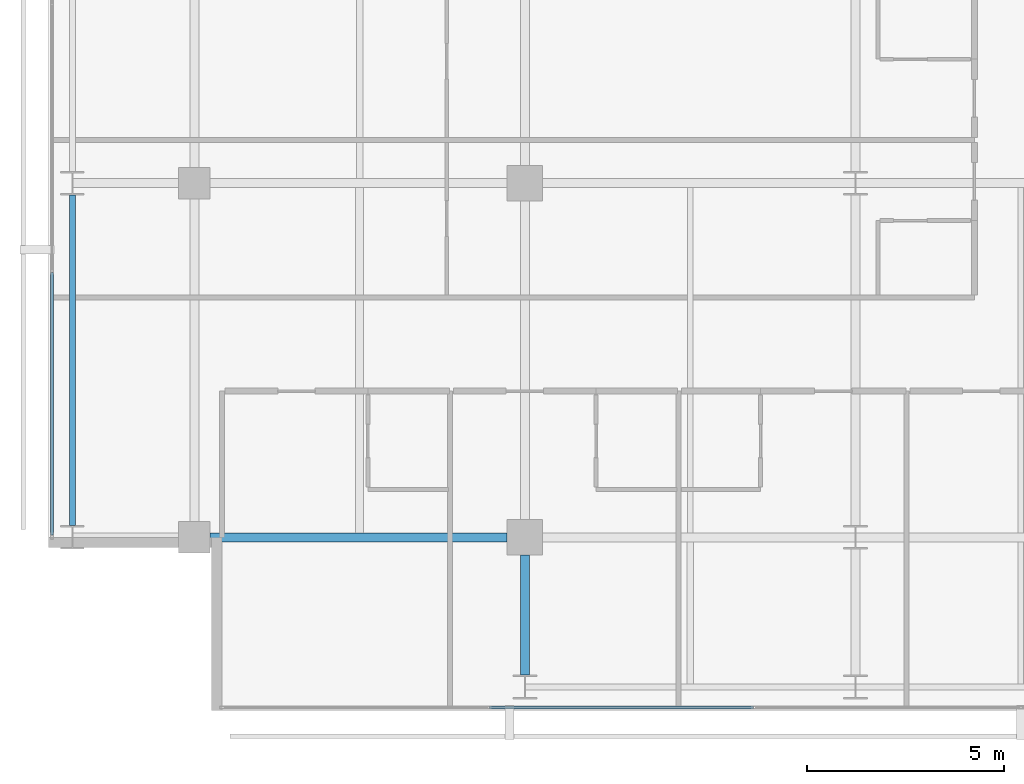
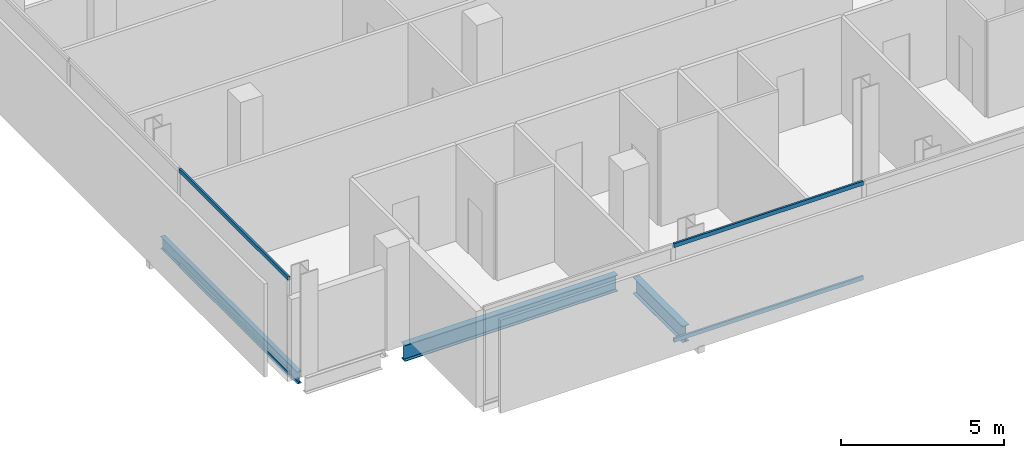
# One storey, part 3 of 34: 4 members, 3 beams, 2 elements without a shape of their own.
"""IFC4 building model written with IfcOpenShell, lengths in metres."""

from ifc_helpers import new_model, si_unit, direction, frame, origin, origin_2d, place, context, subcontext, project, spatial, hollow_rectangle, i_section, extrude, material, layer, layer_set, material_profile, profile_set, type_object, element, aggregate, save


model = new_model("IFC4")

# Units and contexts
model_context = context("Model", 3, precision=1e-05, world=origin(), true_north=direction((0.0, 1.0)))
body_context = subcontext(model_context, "Body", "Model", "MODEL_VIEW")
ifc_project = project(units=[si_unit("LENGTHUNIT", "METRE"), si_unit("AREAUNIT", "SQUARE_METRE"), si_unit("VOLUMEUNIT", "CUBIC_METRE"), si_unit("PLANEANGLEUNIT", "RADIAN"), si_unit("MASSUNIT", "GRAM", prefix="KILO")], contexts=[model_context])

# Site, building, storey
site_placement = place(None, origin())
site = spatial("IfcSite", under=ifc_project, at=site_placement, CompositionType="ELEMENT")
building_placement = place(site_placement, origin())
building = spatial("IfcBuilding", under=site, at=building_placement, Name="Maruvema Waterfront Hotel and Observation Tower", CompositionType="ELEMENT")
storey_placement = place(building_placement, frame((0.0, 0.0, 127.39990234375)))
storey = spatial("IfcBuildingStorey", under=building, at=storey_placement, Name="L30", CompositionType="ELEMENT", Elevation=127.39990234375)

# Curtain wall, members
ifc_material_1 = material(Name="Anodised bronze aluminium and solar-control low-E IGU", Category="aluminium")
ifc_layer = layer(ifc_material_1, 0.159912109375, Name="Zone 2 Amber Inner Thermal Curtain Wall System CW-03")
ifc_layer_set = layer_set([ifc_layer], Name="Anodised bronze aluminium and solar-control low-E IGU")
curtain_wall_type = type_object("IfcCurtainWallType", Name="Zone 2 Amber Inner Thermal Curtain Wall System CW-03", PredefinedType="USERDEFINED", material=ifc_layer_set)
curtain_wall_1_placement = place(storey_placement, origin())
curtain_wall_1 = element("IfcCurtainWall", 1, at=curtain_wall_1_placement, inside=storey, type_object=curtain_wall_type, Name="L30 Curtain Wall CW-L30-S", ObjectType="UNITISED CURTAIN WALL", PredefinedType="USERDEFINED")
ifc_material_2 = material(Name="Anodised architectural bronze aluminium", Category="aluminium")
ifc_material_profile_1 = material_profile(ifc_material_2, hollow_rectangle(XDim=0.070068359375, YDim=0.14990234375, WallThickness=0.00390625, at=origin_2d()), Name="ALU-T70x150")
ifc_profile_set_1 = profile_set([ifc_material_profile_1], Name="Anodised architectural bronze aluminium")
member_type = type_object("IfcMemberType", Name="Curtain Wall Horizontal Transom ALU-T70x150", PredefinedType="USERDEFINED", material=ifc_profile_set_1)
member_1_placement = place(storey_placement, frame((24.296630859375, 4.679931640625, 0.030029296875), z_axis=(1.0, 0.0, 0.0), x_axis=(0.0, 1.0, 0.0)))
member_1 = element("IfcMember", 2, at=member_1_placement, type_object=member_type, Name="CW-03 transom 2.1", ObjectType="TRANSOM", PredefinedType="USERDEFINED", context=body_context, shape_type="SweptSolid", body=[
    extrude(hollow_rectangle(XDim=0.070068359375, YDim=0.14990234375, WallThickness=0.00390625, at=origin_2d()), origin(), (0.0, 0.0, 1.0), 6.706787109375),
])
member_2_placement = place(storey_placement, frame((24.296630859375, 4.679931640625, 3.580078125), z_axis=(1.0, 0.0, 0.0), x_axis=(0.0, 1.0, 0.0)))
member_2 = element("IfcMember", 3, at=member_2_placement, type_object=member_type, Name="CW-03 transom 2.2", ObjectType="TRANSOM", PredefinedType="USERDEFINED", context=body_context, shape_type="SweptSolid", body=[
    extrude(hollow_rectangle(XDim=0.070068359375, YDim=0.14990234375, WallThickness=0.00390625, at=origin_2d()), origin(), (0.0, 0.0, 1.0), 6.706787109375),
])
aggregate(curtain_wall_1, [member_1, member_2])

curtain_wall_2_placement = place(storey_placement, origin())
curtain_wall_2 = element("IfcCurtainWall", 4, at=curtain_wall_2_placement, inside=storey, type_object=curtain_wall_type, Name="L30 Curtain Wall CW-L30-W", ObjectType="UNITISED CURTAIN WALL", PredefinedType="USERDEFINED")
member_3_placement = place(storey_placement, frame((13.179931640625, 15.736572265625, 0.030029296875), z_axis=(0.0, -1.0, 0.0), x_axis=(1.0, 0.0, 0.0)))
member_3 = element("IfcMember", 5, at=member_3_placement, type_object=member_type, Name="CW-03 transom 6.1", ObjectType="TRANSOM", PredefinedType="USERDEFINED", context=body_context, shape_type="SweptSolid", body=[
    extrude(hollow_rectangle(XDim=0.070068359375, YDim=0.14990234375, WallThickness=0.00390625, at=origin_2d()), origin(), (0.0, 0.0, 1.0), 6.676513671875),
])
member_4_placement = place(storey_placement, frame((13.179931640625, 15.736572265625, 3.580078125), z_axis=(0.0, -1.0, 0.0), x_axis=(1.0, 0.0, 0.0)))
member_4 = element("IfcMember", 6, at=member_4_placement, type_object=member_type, Name="CW-03 transom 6.2", ObjectType="TRANSOM", PredefinedType="USERDEFINED", context=body_context, shape_type="SweptSolid", body=[
    extrude(hollow_rectangle(XDim=0.070068359375, YDim=0.14990234375, WallThickness=0.00390625, at=origin_2d()), origin(), (0.0, 0.0, 1.0), 6.676513671875),
])
aggregate(curtain_wall_2, [member_3, member_4])

# Beams
ifc_material_3 = material(Name="Steel ASTM A572 Grade 50", Category="steel")
ifc_material_profile_2 = material_profile(ifc_material_3, i_section(OverallWidth=0.153076171875, OverallDepth=0.455078125, WebThickness=0.008056640625, FlangeThickness=0.01318359375, FilletRadius=0.014892578125, at=origin_2d()), Name="W460x60.0")
ifc_profile_set_2 = profile_set([ifc_material_profile_2], Name="Steel ASTM A572 Grade 50")
beam_type_1 = type_object("IfcBeamType", Name="Perimeter Spandrel Beam W460x60.0", PredefinedType="SPANDREL", material=ifc_profile_set_2)
beam_1_placement = place(storey_placement, frame((13.699951171875, 9.300048828125, -0.46728515625), z_axis=(0.0, 1.0, 0.0), x_axis=(-1.0, 0.0, 0.0)))
element("IfcBeam", 7, at=beam_1_placement, inside=storey, type_object=beam_type_1, Name="L30 Floor Girder NS-01", PredefinedType="SPANDREL", context=body_context, shape_type="SweptSolid", body=[
    extrude(i_section(OverallWidth=0.153076171875, OverallDepth=0.455078125, WebThickness=0.008056640625, FlangeThickness=0.01318359375, FilletRadius=0.014892578125, at=origin_2d()), origin(), (0.0, 0.0, 1.0), 8.39990234375),
])
ifc_material_4 = material(Name="Steel ASTM A572 Grade 50", Category="steel")
ifc_material_profile_3 = material_profile(ifc_material_4, i_section(OverallWidth=0.22900390625, OverallDepth=0.612060546875, WebThickness=0.011962890625, FlangeThickness=0.01953125, FilletRadius=0.01806640625, at=origin_2d()), Name="W610x125.0")
ifc_profile_set_3 = profile_set([ifc_material_profile_3], Name="Steel ASTM A572 Grade 50")
beam_type_2 = type_object("IfcBeamType", Name="Primary Floor Girder W610x125.0", PredefinedType="BEAM", material=ifc_profile_set_3)
beam_2_placement = place(storey_placement, frame((17.199951171875, 9.0, -0.5458984375), z_axis=(1.0, 0.0, 0.0), x_axis=(0.0, 1.0, 0.0)))
element("IfcBeam", 8, at=beam_2_placement, inside=storey, type_object=beam_type_2, Name="L30 Floor Girder EW-05", PredefinedType="BEAM", context=body_context, shape_type="SweptSolid", body=[
    extrude(i_section(OverallWidth=0.22900390625, OverallDepth=0.612060546875, WebThickness=0.011962890625, FlangeThickness=0.01953125, FilletRadius=0.01806640625, at=origin_2d()), origin(), (0.0, 0.0, 1.0), 7.550048828125),
])
beam_3_placement = place(storey_placement, frame((25.199951171875, 5.5, -0.5458984375), z_axis=(0.0, 1.0, 0.0), x_axis=(-1.0, 0.0, 0.0)))
element("IfcBeam", 9, at=beam_3_placement, inside=storey, type_object=beam_type_2, Name="L30 Floor Girder NS-09", PredefinedType="BEAM", context=body_context, shape_type="SweptSolid", body=[
    extrude(i_section(OverallWidth=0.22900390625, OverallDepth=0.612060546875, WebThickness=0.011962890625, FlangeThickness=0.01953125, FilletRadius=0.01806640625, at=origin_2d()), origin(), (0.0, 0.0, 1.0), 3.050048828125),
])

save(model, "model.ifc")
